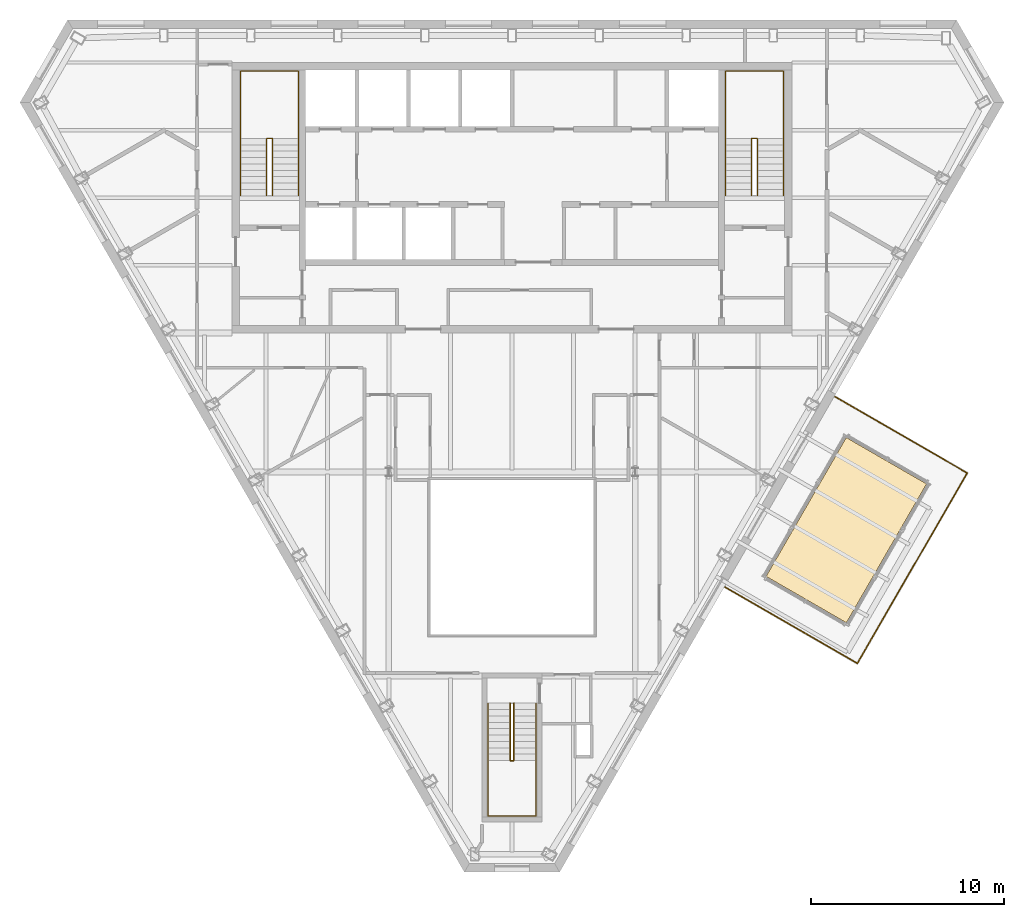
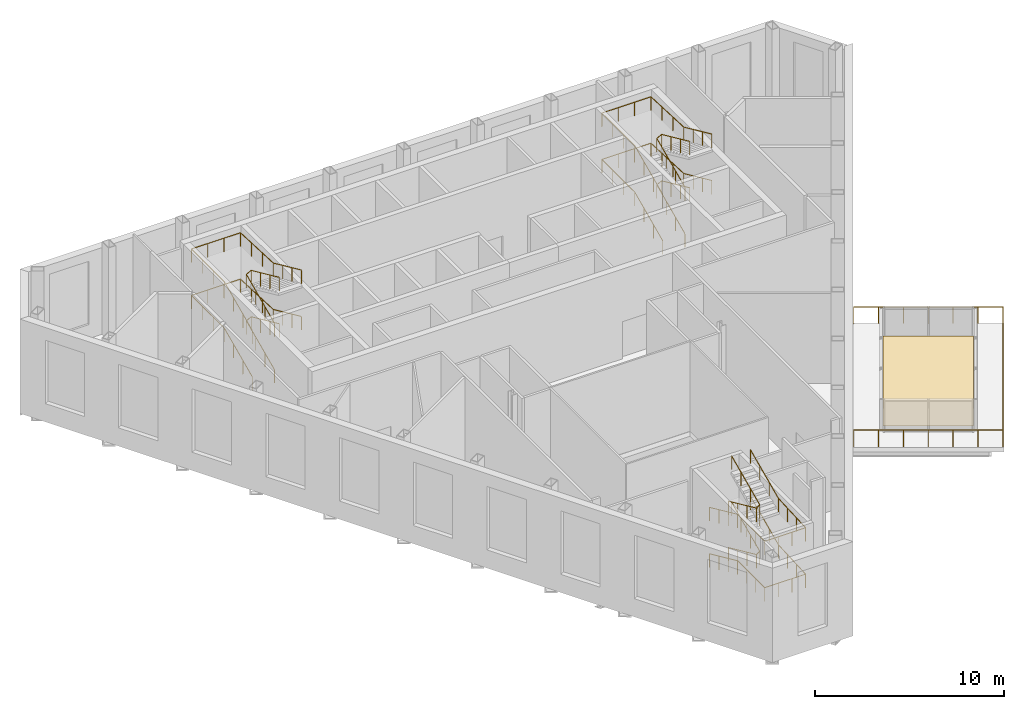
# One storey, part 11 of 11: 13 railings, 1 covering.
"""IFC4 building model written with IfcOpenShell, lengths in metres."""

import ifcopenshell
import ifcopenshell.guid

model = None  # the IFC model being written
_history = None  # IfcOwnerHistory: only IFC2X3 demands one
_inside = {}  # id of a spatial element -> (the spatial element, [elements in it])
_under = {}  # id of a project, library or spatial element -> (it, [spatial elements below it])
_declared = {}  # id of a project -> (the project, [libraries it declares])
_typed = {}  # id of a type object -> (the type object, [elements of that type])
_made_of = {}  # id of a material, layer set ... -> (it, [elements and type objects made of it])


def new_model(schema):
    """Start an empty IFC model of exactly this schema.

    Asked for "IFC4X3", IfcOpenShell would pick the latest addendum, in which some entities
    have other attributes; the version numbers below select the first issue.
    IFC2X3 requires an IfcOwnerHistory on every rooted entity: one is made here for all.
    """
    global model, _history
    if schema == "IFC4X3":
        model = ifcopenshell.file(schema_version=(4, 3, 0, 0))
    else:
        model = ifcopenshell.file(schema=schema)
    _inside.clear()
    _under.clear()
    _declared.clear()
    _typed.clear()
    _made_of.clear()
    _history = None
    if model.schema == "IFC2X3":
        org = make("IfcOrganization", Name="unknown")
        user = make(
            "IfcPersonAndOrganization",
            ThePerson=make("IfcPerson", FamilyName="unknown"),
            TheOrganization=org,
        )
        app = make(
            "IfcApplication",
            ApplicationDeveloper=org,
            Version="unknown",
            ApplicationFullName="unknown",
            ApplicationIdentifier="unknown",
        )
        _history = make(
            "IfcOwnerHistory",
            OwningUser=user,
            OwningApplication=app,
            ChangeAction="ADDED",
            CreationDate=0,
        )
    return model


def make(cls, **values):
    """One entity of the class cls with the attributes given. An attribute that is None is left unset."""
    return model.create_entity(
        cls, **{name: value for name, value in values.items() if value is not None}
    )


def rooted(cls, **values):
    """An entity with a GlobalId (a new one), such as an element, a storey or a relation."""
    return make(cls, GlobalId=ifcopenshell.guid.new(), OwnerHistory=_history, **values)


def si_unit(unit_type, name, prefix=None):
    """IfcSIUnit, for example si_unit("LENGTHUNIT", "METRE", prefix="MILLI")."""
    return make("IfcSIUnit", UnitType=unit_type, Prefix=prefix, Name=name)


def assignment(units):
    """IfcUnitAssignment: the units of a project."""
    return None if units is None else make("IfcUnitAssignment", Units=units)


def point(xyz):
    """IfcCartesianPoint."""
    return None if xyz is None else make("IfcCartesianPoint", Coordinates=xyz)


def direction(xyz):
    """IfcDirection."""
    return None if xyz is None else make("IfcDirection", DirectionRatios=xyz)


def frame(location, z_axis=None, x_axis=None):
    """IfcAxis2Placement3D, a coordinate frame: its origin and axes. An axis left out is left unset."""
    return make(
        "IfcAxis2Placement3D",
        Location=point(location),
        Axis=direction(z_axis),
        RefDirection=direction(x_axis),
    )


def frame_2d(location, x_axis=None):
    """IfcAxis2Placement2D, a coordinate frame in the plane: its origin and x axis."""
    return make(
        "IfcAxis2Placement2D", Location=point(location), RefDirection=direction(x_axis)
    )


def origin():
    """The frame at (0, 0, 0) with its axes left unset."""
    return frame((0.0, 0.0, 0.0))


def origin_2d():
    """The frame at (0, 0) in the plane with its x axis left unset."""
    return frame_2d((0.0, 0.0))


def place(relative_to, where):
    """IfcLocalPlacement: puts the frame where relative to a parent placement (None: the world)."""
    return make(
        "IfcLocalPlacement", PlacementRelTo=relative_to, RelativePlacement=where
    )


def context(
    kind, dimensions, precision=None, world=None, true_north=None, identifier=None
):
    """IfcGeometricRepresentationContext, for example the 3D "Model" context."""
    return make(
        "IfcGeometricRepresentationContext",
        ContextIdentifier=identifier,
        ContextType=kind,
        CoordinateSpaceDimension=dimensions,
        Precision=precision,
        WorldCoordinateSystem=world,
        TrueNorth=true_north,
    )


def subcontext(parent, identifier, kind, view, scale=None):
    """IfcGeometricRepresentationSubContext, for example "Body" below "Model"."""
    return make(
        "IfcGeometricRepresentationSubContext",
        ContextIdentifier=identifier,
        ContextType=kind,
        ParentContext=parent,
        TargetScale=scale,
        TargetView=view,
    )


def project(units=None, contexts=None):
    """IfcProject with its units and contexts."""
    return rooted(
        "IfcProject",
        Name="project",
        RepresentationContexts=contexts,
        UnitsInContext=assignment(units),
    )


def spatial(cls, under=None, at=None, **own):
    """A site, building, storey or space (cls), placed at a placement, below another one or the project."""
    s = rooted(cls, ObjectPlacement=at, **own)
    if under is not None:
        _under.setdefault(under.id(), (under, []))[1].append(s)
    return s


def polyline(points):
    """IfcPolyline through the points."""
    return make("IfcPolyline", Points=[point(p) for p in points])


def profile(cls, at=None, kind="AREA", **sizes):
    """A parametric profile (cls). Its sizes go by their IFC names, for example OverallWidth=200.0."""
    return make(cls, ProfileType=kind, Position=at, **sizes)


def circle(**sizes):
    """IfcCircleProfileDef."""
    return profile("IfcCircleProfileDef", **sizes)


def outline(outer, holes=None, kind="AREA"):
    """IfcArbitraryClosedProfileDef: a profile drawn as a closed curve; with holes, ...WithVoids."""
    if holes is None:
        return make("IfcArbitraryClosedProfileDef", ProfileType=kind, OuterCurve=outer)
    return make(
        "IfcArbitraryProfileDefWithVoids",
        ProfileType=kind,
        OuterCurve=outer,
        InnerCurves=holes,
    )


def extrude(swept, where, along, depth):
    """IfcExtrudedAreaSolid: the profile swept, set in the frame where, extruded along a direction by depth."""
    return make(
        "IfcExtrudedAreaSolid",
        SweptArea=swept,
        Position=where,
        ExtrudedDirection=direction(along),
        Depth=depth,
    )


def shape(context_of_items, identifier, shape_type, items):
    """IfcShapeRepresentation: the items that make up one representation, for example the "Body"."""
    return make(
        "IfcShapeRepresentation",
        ContextOfItems=context_of_items,
        RepresentationIdentifier=identifier,
        RepresentationType=shape_type,
        Items=items,
    )


def material(Name=None, Category=None):
    """IfcMaterial."""
    return make("IfcMaterial", Name=Name, Category=Category)


def layer(
    of_material, thickness, ventilated=None, Name=None, Category=None, Priority=None
):
    """IfcMaterialLayer: one layer of a wall or slab, of a material (None: an air gap)."""
    return make(
        "IfcMaterialLayer",
        Material=of_material,
        LayerThickness=thickness,
        IsVentilated=ventilated,
        Name=Name,
        Category=Category,
        Priority=Priority,
    )


def layer_set(layers, Name=None):
    """IfcMaterialLayerSet."""
    return make("IfcMaterialLayerSet", MaterialLayers=layers, LayerSetName=Name)


def made_of(thing, what):
    """Note that an element or type object is made of a material, layer set ...; save() writes the relation."""
    if what is not None:
        _made_of.setdefault(what.id(), (what, []))[1].append(thing)
    return thing


def type_object(cls, material=None, **own):
    """A type object (cls), such as IfcWallType, which elements share."""
    return made_of(rooted(cls, **own), material)


def element(
    cls,
    number,
    at=None,
    inside=None,
    cuts=None,
    type_object=None,
    material=None,
    context=None,
    identifier="Body",
    shape_type=None,
    held_by="IfcProductDefinitionShape",
    body=None,
    shapes=None,
    **own,
):
    """One element of the class cls, such as IfcWall. Its Tag is "e" and its number.

    at: its placement. inside: the storey or other place that contains it. cuts: it is an
    opening in that element (IfcRelVoidsElement). A single representation is given by context,
    identifier, shape_type and body (its items); several are given by shapes. held_by: the class
    of the entity that holds the representations. save() writes the other relations.
    """
    e = rooted(cls, Tag="e%d" % number, ObjectPlacement=at, **own)
    if body is not None:
        shapes = [shape(context, identifier, shape_type, body)]
    if shapes is not None:
        e.Representation = make(held_by, Representations=shapes)
    if inside is not None:
        _inside.setdefault(inside.id(), (inside, []))[1].append(e)
    if cuts is not None:
        rooted(
            "IfcRelVoidsElement", RelatingBuildingElement=cuts, RelatedOpeningElement=e
        )
    if type_object is not None:
        _typed.setdefault(type_object.id(), (type_object, []))[1].append(e)
    return made_of(e, material)


def aggregate(whole, parts):
    """IfcRelAggregates: a whole, such as a stair, and the parts it consists of."""
    return rooted("IfcRelAggregates", RelatingObject=whole, RelatedObjects=parts)


def save(model, path):
    """Write the relations noted so far, then the file.

    IfcRelAggregates (storeys below a building ...), IfcRelContainedInSpatialStructure (elements
    in a storey), IfcRelDefinesByType, IfcRelAssociatesMaterial and IfcRelDeclares: one each for
    every whole, place, type object, material and project.
    """
    for whole, parts in _under.values():
        aggregate(whole, parts)
    for where, things in _inside.values():
        rooted(
            "IfcRelContainedInSpatialStructure",
            RelatedElements=things,
            RelatingStructure=where,
        )
    for kind, things in _typed.values():
        rooted("IfcRelDefinesByType", RelatedObjects=things, RelatingType=kind)
    for what, things in _made_of.values():
        rooted("IfcRelAssociatesMaterial", RelatedObjects=things, RelatingMaterial=what)
    for by, libraries in _declared.values():
        rooted("IfcRelDeclares", RelatingContext=by, RelatedDefinitions=libraries)
    model.write(path)


model = new_model("IFC4")

# Units and contexts
model_context = context("Model", 3, precision=1e-05, world=origin(), true_north=direction((0.0, 1.0)))
body_context = subcontext(model_context, "Body", "Model", "MODEL_VIEW")
ifc_project = project(units=[si_unit("LENGTHUNIT", "METRE"), si_unit("AREAUNIT", "SQUARE_METRE"), si_unit("VOLUMEUNIT", "CUBIC_METRE"), si_unit("PLANEANGLEUNIT", "RADIAN"), si_unit("MASSUNIT", "GRAM", prefix="KILO")], contexts=[model_context])

# Site, building, storey
site_placement = place(None, origin())
site = spatial("IfcSite", under=ifc_project, at=site_placement, CompositionType="ELEMENT")
building_placement = place(site_placement, origin())
building = spatial("IfcBuilding", under=site, at=building_placement, Name="Njiva Tower", CompositionType="ELEMENT")
storey_placement = place(building_placement, frame((0.0, 0.0, 298.2)))
storey = spatial("IfcBuildingStorey", under=building, at=storey_placement, Name="L68", CompositionType="ELEMENT", Elevation=298.2)

# Covering
ifc_material_1 = material(Name="Pool lining, turquoise mosaic", Category="ceramic")
ifc_layer = layer(ifc_material_1, 0.02)
ifc_layer_set = layer_set([ifc_layer], Name="Pool lining, turquoise mosaic")
covering_type = type_object("IfcCoveringType", Name="FN90 Pool lining turquoise mosaic 20", PredefinedType="FLOORING", material=ifc_layer_set)
covering_placement = place(storey_placement, frame((0.0, 0.0, 0.25)))
element("IfcCovering", 1, at=covering_placement, inside=storey, type_object=covering_type, Name="Pool lining", PredefinedType="FLOORING", context=body_context, shape_type="SweptSolid", body=[
    extrude(outline(polyline([(13.1534, -8.5979), (17.3014, -1.4133), (21.4548, -3.8113), (17.3068, -10.9959), (13.1534, -8.5979)])), origin(), (0.0, 0.0, 1.0), 0.02),
])

# Railings
ifc_material_2 = material(Name="Stainless steel", Category="steel")
railing_type_1 = type_object("IfcRailingType", Name="RL1 Stair handrail 900", PredefinedType="HANDRAIL", material=ifc_material_2)
railing_1_placement = place(storey_placement, frame((-14.05, 11.1, 0.15)))
element("IfcRailing", 2, at=railing_1_placement, inside=storey, type_object=railing_type_1, Name="Stair A handrail", PredefinedType="HANDRAIL", context=body_context, shape_type="SweptSolid", body=[
    extrude(circle(Radius=0.024, at=origin_2d()), frame((0.0, 0.0, 0.876), z_axis=(0.0, 0.910366477463, 0.413802944301), x_axis=(-1.0, 0.0, 0.0)), (0.0, 0.0, 1.0), 3.2624),
    extrude(circle(Radius=0.024, at=origin_2d()), frame((0.0, 2.97, 2.226), z_axis=(0.0, 1.0, 0.0), x_axis=(-1.0, 0.0, 0.0)), (0.0, 0.0, 1.0), 3.48),
    extrude(circle(Radius=0.024, at=origin_2d()), frame((0.0, 6.45, 2.226), z_axis=(1.0, 0.0, 0.0), x_axis=(0.0, 1.0, 0.0)), (0.0, 0.0, 1.0), 3.0),
    extrude(circle(Radius=0.024, at=origin_2d()), frame((3.0, 6.45, 2.226), z_axis=(0.0, -0.999072338805, 0.04306346288), x_axis=(1.0, 0.0, 0.0)), (0.0, 0.0, 1.0), 3.4832),
    extrude(circle(Radius=0.024, at=origin_2d()), frame((3.0, 2.97, 2.376), z_axis=(0.0, -0.910366477463, 0.413802944301), x_axis=(1.0, 0.0, 0.0)), (0.0, 0.0, 1.0), 3.2624),
    extrude(circle(Radius=0.021, at=origin_2d()), origin(), (0.0, 0.0, 1.0), 0.852),
    extrude(circle(Radius=0.021, at=origin_2d()), frame((0.0, 0.99, 0.45)), (0.0, 0.0, 1.0), 0.852),
    extrude(circle(Radius=0.021, at=origin_2d()), frame((0.0, 1.98, 0.9)), (0.0, 0.0, 1.0), 0.852),
    extrude(circle(Radius=0.021, at=origin_2d()), frame((0.0, 2.97, 1.35)), (0.0, 0.0, 1.0), 0.852),
    extrude(circle(Radius=0.021, at=origin_2d()), frame((0.0, 4.13, 1.35)), (0.0, 0.0, 1.0), 0.852),
    extrude(circle(Radius=0.021, at=origin_2d()), frame((0.0, 5.29, 1.35)), (0.0, 0.0, 1.0), 0.852),
    extrude(circle(Radius=0.021, at=origin_2d()), frame((0.0, 6.45, 1.35)), (0.0, 0.0, 1.0), 0.852),
    extrude(circle(Radius=0.021, at=origin_2d()), frame((1.0, 6.45, 1.35)), (0.0, 0.0, 1.0), 0.852),
    extrude(circle(Radius=0.021, at=origin_2d()), frame((2.0, 6.45, 1.35)), (0.0, 0.0, 1.0), 0.852),
    extrude(circle(Radius=0.021, at=origin_2d()), frame((3.0, 6.45, 1.35)), (0.0, 0.0, 1.0), 0.852),
    extrude(circle(Radius=0.021, at=origin_2d()), frame((3.0, 5.29, 1.4)), (0.0, 0.0, 1.0), 0.852),
    extrude(circle(Radius=0.021, at=origin_2d()), frame((3.0, 4.13, 1.45)), (0.0, 0.0, 1.0), 0.852),
    extrude(circle(Radius=0.021, at=origin_2d()), frame((3.0, 2.97, 1.5)), (0.0, 0.0, 1.0), 0.852),
    extrude(circle(Radius=0.021, at=origin_2d()), frame((3.0, 1.98, 1.95)), (0.0, 0.0, 1.0), 0.852),
    extrude(circle(Radius=0.021, at=origin_2d()), frame((3.0, 0.99, 2.4)), (0.0, 0.0, 1.0), 0.852),
    extrude(circle(Radius=0.021, at=origin_2d()), frame((3.0, 0.0, 2.85)), (0.0, 0.0, 1.0), 0.852),
])
railing_2_placement = place(storey_placement, frame((-12.7, 11.1, 0.15)))
element("IfcRailing", 3, at=railing_2_placement, inside=storey, type_object=railing_type_1, Name="Stair A handrail", PredefinedType="HANDRAIL", context=body_context, shape_type="SweptSolid", body=[
    extrude(circle(Radius=0.024, at=origin_2d()), frame((0.0, 0.0, 0.876), z_axis=(0.0, 0.910366477463, 0.413802944301), x_axis=(-1.0, 0.0, 0.0)), (0.0, 0.0, 1.0), 3.2624),
    extrude(circle(Radius=0.024, at=origin_2d()), frame((0.0, 2.97, 2.226), z_axis=(0.894427191, 0.0, 0.4472135955), x_axis=(0.0, 1.0, 0.0)), (0.0, 0.0, 1.0), 0.3354),
    extrude(circle(Radius=0.024, at=origin_2d()), frame((0.3, 2.97, 2.376), z_axis=(0.0, -0.910366477463, 0.413802944301), x_axis=(1.0, 0.0, 0.0)), (0.0, 0.0, 1.0), 3.2624),
    extrude(circle(Radius=0.021, at=origin_2d()), origin(), (0.0, 0.0, 1.0), 0.852),
    extrude(circle(Radius=0.021, at=origin_2d()), frame((0.0, 0.99, 0.45)), (0.0, 0.0, 1.0), 0.852),
    extrude(circle(Radius=0.021, at=origin_2d()), frame((0.0, 1.98, 0.9)), (0.0, 0.0, 1.0), 0.852),
    extrude(circle(Radius=0.021, at=origin_2d()), frame((0.0, 2.97, 1.35)), (0.0, 0.0, 1.0), 0.852),
    extrude(circle(Radius=0.021, at=origin_2d()), frame((0.3, 2.97, 1.5)), (0.0, 0.0, 1.0), 0.852),
    extrude(circle(Radius=0.021, at=origin_2d()), frame((0.3, 1.98, 1.95)), (0.0, 0.0, 1.0), 0.852),
    extrude(circle(Radius=0.021, at=origin_2d()), frame((0.3, 0.99, 2.4)), (0.0, 0.0, 1.0), 0.852),
    extrude(circle(Radius=0.021, at=origin_2d()), frame((0.3, 0.0, 2.85)), (0.0, 0.0, 1.0), 0.852),
])
railing_3_placement = place(storey_placement, frame((-14.05, 11.1, 3.15)))
element("IfcRailing", 4, at=railing_3_placement, inside=storey, type_object=railing_type_1, Name="Stair A handrail", PredefinedType="HANDRAIL", context=body_context, shape_type="SweptSolid", body=[
    extrude(circle(Radius=0.024, at=origin_2d()), frame((0.0, 0.0, 0.876), z_axis=(0.0, 0.910366477463, 0.413802944301), x_axis=(-1.0, 0.0, 0.0)), (0.0, 0.0, 1.0), 3.2624),
    extrude(circle(Radius=0.024, at=origin_2d()), frame((0.0, 2.97, 2.226), z_axis=(0.0, 1.0, 0.0), x_axis=(-1.0, 0.0, 0.0)), (0.0, 0.0, 1.0), 3.48),
    extrude(circle(Radius=0.024, at=origin_2d()), frame((0.0, 6.45, 2.226), z_axis=(1.0, 0.0, 0.0), x_axis=(0.0, 1.0, 0.0)), (0.0, 0.0, 1.0), 3.0),
    extrude(circle(Radius=0.024, at=origin_2d()), frame((3.0, 6.45, 2.226), z_axis=(0.0, -0.999072338805, 0.04306346288), x_axis=(1.0, 0.0, 0.0)), (0.0, 0.0, 1.0), 3.4832),
    extrude(circle(Radius=0.024, at=origin_2d()), frame((3.0, 2.97, 2.376), z_axis=(0.0, -0.910366477463, 0.413802944301), x_axis=(1.0, 0.0, 0.0)), (0.0, 0.0, 1.0), 3.2624),
    extrude(circle(Radius=0.021, at=origin_2d()), origin(), (0.0, 0.0, 1.0), 0.852),
    extrude(circle(Radius=0.021, at=origin_2d()), frame((0.0, 0.99, 0.45)), (0.0, 0.0, 1.0), 0.852),
    extrude(circle(Radius=0.021, at=origin_2d()), frame((0.0, 1.98, 0.9)), (0.0, 0.0, 1.0), 0.852),
    extrude(circle(Radius=0.021, at=origin_2d()), frame((0.0, 2.97, 1.35)), (0.0, 0.0, 1.0), 0.852),
    extrude(circle(Radius=0.021, at=origin_2d()), frame((0.0, 4.13, 1.35)), (0.0, 0.0, 1.0), 0.852),
    extrude(circle(Radius=0.021, at=origin_2d()), frame((0.0, 5.29, 1.35)), (0.0, 0.0, 1.0), 0.852),
    extrude(circle(Radius=0.021, at=origin_2d()), frame((0.0, 6.45, 1.35)), (0.0, 0.0, 1.0), 0.852),
    extrude(circle(Radius=0.021, at=origin_2d()), frame((1.0, 6.45, 1.35)), (0.0, 0.0, 1.0), 0.852),
    extrude(circle(Radius=0.021, at=origin_2d()), frame((2.0, 6.45, 1.35)), (0.0, 0.0, 1.0), 0.852),
    extrude(circle(Radius=0.021, at=origin_2d()), frame((3.0, 6.45, 1.35)), (0.0, 0.0, 1.0), 0.852),
    extrude(circle(Radius=0.021, at=origin_2d()), frame((3.0, 5.29, 1.4)), (0.0, 0.0, 1.0), 0.852),
    extrude(circle(Radius=0.021, at=origin_2d()), frame((3.0, 4.13, 1.45)), (0.0, 0.0, 1.0), 0.852),
    extrude(circle(Radius=0.021, at=origin_2d()), frame((3.0, 2.97, 1.5)), (0.0, 0.0, 1.0), 0.852),
    extrude(circle(Radius=0.021, at=origin_2d()), frame((3.0, 1.98, 1.95)), (0.0, 0.0, 1.0), 0.852),
    extrude(circle(Radius=0.021, at=origin_2d()), frame((3.0, 0.99, 2.4)), (0.0, 0.0, 1.0), 0.852),
    extrude(circle(Radius=0.021, at=origin_2d()), frame((3.0, 0.0, 2.85)), (0.0, 0.0, 1.0), 0.852),
])
railing_4_placement = place(storey_placement, frame((-12.7, 11.1, 3.15)))
element("IfcRailing", 5, at=railing_4_placement, inside=storey, type_object=railing_type_1, Name="Stair A handrail", PredefinedType="HANDRAIL", context=body_context, shape_type="SweptSolid", body=[
    extrude(circle(Radius=0.024, at=origin_2d()), frame((0.0, 0.0, 0.876), z_axis=(0.0, 0.910366477463, 0.413802944301), x_axis=(-1.0, 0.0, 0.0)), (0.0, 0.0, 1.0), 3.2624),
    extrude(circle(Radius=0.024, at=origin_2d()), frame((0.0, 2.97, 2.226), z_axis=(0.894427191, 0.0, 0.4472135955), x_axis=(0.0, 1.0, 0.0)), (0.0, 0.0, 1.0), 0.3354),
    extrude(circle(Radius=0.024, at=origin_2d()), frame((0.3, 2.97, 2.376), z_axis=(0.0, -0.910366477463, 0.413802944301), x_axis=(1.0, 0.0, 0.0)), (0.0, 0.0, 1.0), 3.2624),
    extrude(circle(Radius=0.021, at=origin_2d()), origin(), (0.0, 0.0, 1.0), 0.852),
    extrude(circle(Radius=0.021, at=origin_2d()), frame((0.0, 0.99, 0.45)), (0.0, 0.0, 1.0), 0.852),
    extrude(circle(Radius=0.021, at=origin_2d()), frame((0.0, 1.98, 0.9)), (0.0, 0.0, 1.0), 0.852),
    extrude(circle(Radius=0.021, at=origin_2d()), frame((0.0, 2.97, 1.35)), (0.0, 0.0, 1.0), 0.852),
    extrude(circle(Radius=0.021, at=origin_2d()), frame((0.3, 2.97, 1.5)), (0.0, 0.0, 1.0), 0.852),
    extrude(circle(Radius=0.021, at=origin_2d()), frame((0.3, 1.98, 1.95)), (0.0, 0.0, 1.0), 0.852),
    extrude(circle(Radius=0.021, at=origin_2d()), frame((0.3, 0.99, 2.4)), (0.0, 0.0, 1.0), 0.852),
    extrude(circle(Radius=0.021, at=origin_2d()), frame((0.3, 0.0, 2.85)), (0.0, 0.0, 1.0), 0.852),
])
railing_5_placement = place(storey_placement, frame((11.05, 11.1, 0.15)))
element("IfcRailing", 6, at=railing_5_placement, inside=storey, type_object=railing_type_1, Name="Stair B handrail", PredefinedType="HANDRAIL", context=body_context, shape_type="SweptSolid", body=[
    extrude(circle(Radius=0.024, at=origin_2d()), frame((0.0, 0.0, 0.876), z_axis=(0.0, 0.910366477463, 0.413802944301), x_axis=(-1.0, 0.0, 0.0)), (0.0, 0.0, 1.0), 3.2624),
    extrude(circle(Radius=0.024, at=origin_2d()), frame((0.0, 2.97, 2.226), z_axis=(0.0, 1.0, 0.0), x_axis=(-1.0, 0.0, 0.0)), (0.0, 0.0, 1.0), 3.48),
    extrude(circle(Radius=0.024, at=origin_2d()), frame((0.0, 6.45, 2.226), z_axis=(1.0, 0.0, 0.0), x_axis=(0.0, 1.0, 0.0)), (0.0, 0.0, 1.0), 3.0),
    extrude(circle(Radius=0.024, at=origin_2d()), frame((3.0, 6.45, 2.226), z_axis=(0.0, -0.999072338805, 0.04306346288), x_axis=(1.0, 0.0, 0.0)), (0.0, 0.0, 1.0), 3.4832),
    extrude(circle(Radius=0.024, at=origin_2d()), frame((3.0, 2.97, 2.376), z_axis=(0.0, -0.910366477463, 0.413802944301), x_axis=(1.0, 0.0, 0.0)), (0.0, 0.0, 1.0), 3.2624),
    extrude(circle(Radius=0.021, at=origin_2d()), origin(), (0.0, 0.0, 1.0), 0.852),
    extrude(circle(Radius=0.021, at=origin_2d()), frame((0.0, 0.99, 0.45)), (0.0, 0.0, 1.0), 0.852),
    extrude(circle(Radius=0.021, at=origin_2d()), frame((0.0, 1.98, 0.9)), (0.0, 0.0, 1.0), 0.852),
    extrude(circle(Radius=0.021, at=origin_2d()), frame((0.0, 2.97, 1.35)), (0.0, 0.0, 1.0), 0.852),
    extrude(circle(Radius=0.021, at=origin_2d()), frame((0.0, 4.13, 1.35)), (0.0, 0.0, 1.0), 0.852),
    extrude(circle(Radius=0.021, at=origin_2d()), frame((0.0, 5.29, 1.35)), (0.0, 0.0, 1.0), 0.852),
    extrude(circle(Radius=0.021, at=origin_2d()), frame((0.0, 6.45, 1.35)), (0.0, 0.0, 1.0), 0.852),
    extrude(circle(Radius=0.021, at=origin_2d()), frame((1.0, 6.45, 1.35)), (0.0, 0.0, 1.0), 0.852),
    extrude(circle(Radius=0.021, at=origin_2d()), frame((2.0, 6.45, 1.35)), (0.0, 0.0, 1.0), 0.852),
    extrude(circle(Radius=0.021, at=origin_2d()), frame((3.0, 6.45, 1.35)), (0.0, 0.0, 1.0), 0.852),
    extrude(circle(Radius=0.021, at=origin_2d()), frame((3.0, 5.29, 1.4)), (0.0, 0.0, 1.0), 0.852),
    extrude(circle(Radius=0.021, at=origin_2d()), frame((3.0, 4.13, 1.45)), (0.0, 0.0, 1.0), 0.852),
    extrude(circle(Radius=0.021, at=origin_2d()), frame((3.0, 2.97, 1.5)), (0.0, 0.0, 1.0), 0.852),
    extrude(circle(Radius=0.021, at=origin_2d()), frame((3.0, 1.98, 1.95)), (0.0, 0.0, 1.0), 0.852),
    extrude(circle(Radius=0.021, at=origin_2d()), frame((3.0, 0.99, 2.4)), (0.0, 0.0, 1.0), 0.852),
    extrude(circle(Radius=0.021, at=origin_2d()), frame((3.0, 0.0, 2.85)), (0.0, 0.0, 1.0), 0.852),
])
railing_6_placement = place(storey_placement, frame((12.4, 11.1, 0.15)))
element("IfcRailing", 7, at=railing_6_placement, inside=storey, type_object=railing_type_1, Name="Stair B handrail", PredefinedType="HANDRAIL", context=body_context, shape_type="SweptSolid", body=[
    extrude(circle(Radius=0.024, at=origin_2d()), frame((0.0, 0.0, 0.876), z_axis=(0.0, 0.910366477463, 0.413802944301), x_axis=(-1.0, 0.0, 0.0)), (0.0, 0.0, 1.0), 3.2624),
    extrude(circle(Radius=0.024, at=origin_2d()), frame((0.0, 2.97, 2.226), z_axis=(0.894427191, 0.0, 0.4472135955), x_axis=(0.0, 1.0, 0.0)), (0.0, 0.0, 1.0), 0.3354),
    extrude(circle(Radius=0.024, at=origin_2d()), frame((0.3, 2.97, 2.376), z_axis=(0.0, -0.910366477463, 0.413802944301), x_axis=(1.0, 0.0, 0.0)), (0.0, 0.0, 1.0), 3.2624),
    extrude(circle(Radius=0.021, at=origin_2d()), origin(), (0.0, 0.0, 1.0), 0.852),
    extrude(circle(Radius=0.021, at=origin_2d()), frame((0.0, 0.99, 0.45)), (0.0, 0.0, 1.0), 0.852),
    extrude(circle(Radius=0.021, at=origin_2d()), frame((0.0, 1.98, 0.9)), (0.0, 0.0, 1.0), 0.852),
    extrude(circle(Radius=0.021, at=origin_2d()), frame((0.0, 2.97, 1.35)), (0.0, 0.0, 1.0), 0.852),
    extrude(circle(Radius=0.021, at=origin_2d()), frame((0.3, 2.97, 1.5)), (0.0, 0.0, 1.0), 0.852),
    extrude(circle(Radius=0.021, at=origin_2d()), frame((0.3, 1.98, 1.95)), (0.0, 0.0, 1.0), 0.852),
    extrude(circle(Radius=0.021, at=origin_2d()), frame((0.3, 0.99, 2.4)), (0.0, 0.0, 1.0), 0.852),
    extrude(circle(Radius=0.021, at=origin_2d()), frame((0.3, 0.0, 2.85)), (0.0, 0.0, 1.0), 0.852),
])
railing_7_placement = place(storey_placement, frame((11.05, 11.1, 3.15)))
element("IfcRailing", 8, at=railing_7_placement, inside=storey, type_object=railing_type_1, Name="Stair B handrail", PredefinedType="HANDRAIL", context=body_context, shape_type="SweptSolid", body=[
    extrude(circle(Radius=0.024, at=origin_2d()), frame((0.0, 0.0, 0.876), z_axis=(0.0, 0.910366477463, 0.413802944301), x_axis=(-1.0, 0.0, 0.0)), (0.0, 0.0, 1.0), 3.2624),
    extrude(circle(Radius=0.024, at=origin_2d()), frame((0.0, 2.97, 2.226), z_axis=(0.0, 1.0, 0.0), x_axis=(-1.0, 0.0, 0.0)), (0.0, 0.0, 1.0), 3.48),
    extrude(circle(Radius=0.024, at=origin_2d()), frame((0.0, 6.45, 2.226), z_axis=(1.0, 0.0, 0.0), x_axis=(0.0, 1.0, 0.0)), (0.0, 0.0, 1.0), 3.0),
    extrude(circle(Radius=0.024, at=origin_2d()), frame((3.0, 6.45, 2.226), z_axis=(0.0, -0.999072338805, 0.04306346288), x_axis=(1.0, 0.0, 0.0)), (0.0, 0.0, 1.0), 3.4832),
    extrude(circle(Radius=0.024, at=origin_2d()), frame((3.0, 2.97, 2.376), z_axis=(0.0, -0.910366477463, 0.413802944301), x_axis=(1.0, 0.0, 0.0)), (0.0, 0.0, 1.0), 3.2624),
    extrude(circle(Radius=0.021, at=origin_2d()), origin(), (0.0, 0.0, 1.0), 0.852),
    extrude(circle(Radius=0.021, at=origin_2d()), frame((0.0, 0.99, 0.45)), (0.0, 0.0, 1.0), 0.852),
    extrude(circle(Radius=0.021, at=origin_2d()), frame((0.0, 1.98, 0.9)), (0.0, 0.0, 1.0), 0.852),
    extrude(circle(Radius=0.021, at=origin_2d()), frame((0.0, 2.97, 1.35)), (0.0, 0.0, 1.0), 0.852),
    extrude(circle(Radius=0.021, at=origin_2d()), frame((0.0, 4.13, 1.35)), (0.0, 0.0, 1.0), 0.852),
    extrude(circle(Radius=0.021, at=origin_2d()), frame((0.0, 5.29, 1.35)), (0.0, 0.0, 1.0), 0.852),
    extrude(circle(Radius=0.021, at=origin_2d()), frame((0.0, 6.45, 1.35)), (0.0, 0.0, 1.0), 0.852),
    extrude(circle(Radius=0.021, at=origin_2d()), frame((1.0, 6.45, 1.35)), (0.0, 0.0, 1.0), 0.852),
    extrude(circle(Radius=0.021, at=origin_2d()), frame((2.0, 6.45, 1.35)), (0.0, 0.0, 1.0), 0.852),
    extrude(circle(Radius=0.021, at=origin_2d()), frame((3.0, 6.45, 1.35)), (0.0, 0.0, 1.0), 0.852),
    extrude(circle(Radius=0.021, at=origin_2d()), frame((3.0, 5.29, 1.4)), (0.0, 0.0, 1.0), 0.852),
    extrude(circle(Radius=0.021, at=origin_2d()), frame((3.0, 4.13, 1.45)), (0.0, 0.0, 1.0), 0.852),
    extrude(circle(Radius=0.021, at=origin_2d()), frame((3.0, 2.97, 1.5)), (0.0, 0.0, 1.0), 0.852),
    extrude(circle(Radius=0.021, at=origin_2d()), frame((3.0, 1.98, 1.95)), (0.0, 0.0, 1.0), 0.852),
    extrude(circle(Radius=0.021, at=origin_2d()), frame((3.0, 0.99, 2.4)), (0.0, 0.0, 1.0), 0.852),
    extrude(circle(Radius=0.021, at=origin_2d()), frame((3.0, 0.0, 2.85)), (0.0, 0.0, 1.0), 0.852),
])
railing_8_placement = place(storey_placement, frame((12.4, 11.1, 3.15)))
element("IfcRailing", 9, at=railing_8_placement, inside=storey, type_object=railing_type_1, Name="Stair B handrail", PredefinedType="HANDRAIL", context=body_context, shape_type="SweptSolid", body=[
    extrude(circle(Radius=0.024, at=origin_2d()), frame((0.0, 0.0, 0.876), z_axis=(0.0, 0.910366477463, 0.413802944301), x_axis=(-1.0, 0.0, 0.0)), (0.0, 0.0, 1.0), 3.2624),
    extrude(circle(Radius=0.024, at=origin_2d()), frame((0.0, 2.97, 2.226), z_axis=(0.894427191, 0.0, 0.4472135955), x_axis=(0.0, 1.0, 0.0)), (0.0, 0.0, 1.0), 0.3354),
    extrude(circle(Radius=0.024, at=origin_2d()), frame((0.3, 2.97, 2.376), z_axis=(0.0, -0.910366477463, 0.413802944301), x_axis=(1.0, 0.0, 0.0)), (0.0, 0.0, 1.0), 3.2624),
    extrude(circle(Radius=0.021, at=origin_2d()), origin(), (0.0, 0.0, 1.0), 0.852),
    extrude(circle(Radius=0.021, at=origin_2d()), frame((0.0, 0.99, 0.45)), (0.0, 0.0, 1.0), 0.852),
    extrude(circle(Radius=0.021, at=origin_2d()), frame((0.0, 1.98, 0.9)), (0.0, 0.0, 1.0), 0.852),
    extrude(circle(Radius=0.021, at=origin_2d()), frame((0.0, 2.97, 1.35)), (0.0, 0.0, 1.0), 0.852),
    extrude(circle(Radius=0.021, at=origin_2d()), frame((0.3, 2.97, 1.5)), (0.0, 0.0, 1.0), 0.852),
    extrude(circle(Radius=0.021, at=origin_2d()), frame((0.3, 1.98, 1.95)), (0.0, 0.0, 1.0), 0.852),
    extrude(circle(Radius=0.021, at=origin_2d()), frame((0.3, 0.99, 2.4)), (0.0, 0.0, 1.0), 0.852),
    extrude(circle(Radius=0.021, at=origin_2d()), frame((0.3, 0.0, 2.85)), (0.0, 0.0, 1.0), 0.852),
])
railing_9_placement = place(storey_placement, frame((-1.25, -15.16, 0.15)))
element("IfcRailing", 10, at=railing_9_placement, inside=storey, type_object=railing_type_1, Name="Stair C handrail", PredefinedType="HANDRAIL", context=body_context, shape_type="SweptSolid", body=[
    extrude(circle(Radius=0.024, at=origin_2d()), frame((0.0, 0.0, 0.876), z_axis=(0.0, -0.910366477463, 0.413802944301), x_axis=(1.0, 0.0, 0.0)), (0.0, 0.0, 1.0), 3.2624),
    extrude(circle(Radius=0.024, at=origin_2d()), frame((0.0, -2.97, 2.226), z_axis=(0.0, -1.0, 0.0), x_axis=(1.0, 0.0, 0.0)), (0.0, 0.0, 1.0), 2.87),
    extrude(circle(Radius=0.024, at=origin_2d()), frame((0.0, -5.84, 2.226), z_axis=(1.0, 0.0, 0.0), x_axis=(0.0, 1.0, 0.0)), (0.0, 0.0, 1.0), 2.5),
    extrude(circle(Radius=0.024, at=origin_2d()), frame((2.5, -5.84, 2.226), z_axis=(0.0, 0.998636986684, 0.052193570733), x_axis=(-1.0, 0.0, 0.0)), (0.0, 0.0, 1.0), 2.8739),
    extrude(circle(Radius=0.024, at=origin_2d()), frame((2.5, -2.97, 2.376), z_axis=(0.0, 0.910366477463, 0.413802944301), x_axis=(-1.0, 0.0, 0.0)), (0.0, 0.0, 1.0), 3.2624),
    extrude(circle(Radius=0.021, at=origin_2d()), origin(), (0.0, 0.0, 1.0), 0.852),
    extrude(circle(Radius=0.021, at=origin_2d()), frame((0.0, -0.99, 0.45)), (0.0, 0.0, 1.0), 0.852),
    extrude(circle(Radius=0.021, at=origin_2d()), frame((0.0, -1.98, 0.9)), (0.0, 0.0, 1.0), 0.852),
    extrude(circle(Radius=0.021, at=origin_2d()), frame((0.0, -2.97, 1.35)), (0.0, 0.0, 1.0), 0.852),
    extrude(circle(Radius=0.021, at=origin_2d()), frame((0.0, -3.9267, 1.35)), (0.0, 0.0, 1.0), 0.852),
    extrude(circle(Radius=0.021, at=origin_2d()), frame((0.0, -4.8833, 1.35)), (0.0, 0.0, 1.0), 0.852),
    extrude(circle(Radius=0.021, at=origin_2d()), frame((0.0, -5.84, 1.35)), (0.0, 0.0, 1.0), 0.852),
    extrude(circle(Radius=0.021, at=origin_2d()), frame((0.8333, -5.84, 1.35)), (0.0, 0.0, 1.0), 0.852),
    extrude(circle(Radius=0.021, at=origin_2d()), frame((1.6667, -5.84, 1.35)), (0.0, 0.0, 1.0), 0.852),
    extrude(circle(Radius=0.021, at=origin_2d()), frame((2.5, -5.84, 1.35)), (0.0, 0.0, 1.0), 0.852),
    extrude(circle(Radius=0.021, at=origin_2d()), frame((2.5, -4.8833, 1.4)), (0.0, 0.0, 1.0), 0.852),
    extrude(circle(Radius=0.021, at=origin_2d()), frame((2.5, -3.9267, 1.45)), (0.0, 0.0, 1.0), 0.852),
    extrude(circle(Radius=0.021, at=origin_2d()), frame((2.5, -2.97, 1.5)), (0.0, 0.0, 1.0), 0.852),
    extrude(circle(Radius=0.021, at=origin_2d()), frame((2.5, -1.98, 1.95)), (0.0, 0.0, 1.0), 0.852),
    extrude(circle(Radius=0.021, at=origin_2d()), frame((2.5, -0.99, 2.4)), (0.0, 0.0, 1.0), 0.852),
    extrude(circle(Radius=0.021, at=origin_2d()), frame((2.5, 0.0, 2.85)), (0.0, 0.0, 1.0), 0.852),
])
railing_10_placement = place(storey_placement, frame((-0.1, -15.16, 0.15)))
element("IfcRailing", 11, at=railing_10_placement, inside=storey, type_object=railing_type_1, Name="Stair C handrail", PredefinedType="HANDRAIL", context=body_context, shape_type="SweptSolid", body=[
    extrude(circle(Radius=0.024, at=origin_2d()), frame((0.0, 0.0, 0.876), z_axis=(0.0, -0.910366477463, 0.413802944301), x_axis=(1.0, 0.0, 0.0)), (0.0, 0.0, 1.0), 3.2624),
    extrude(circle(Radius=0.024, at=origin_2d()), frame((0.0, -2.97, 2.226), z_axis=(0.8, 0.0, 0.6), x_axis=(0.0, 1.0, 0.0)), (0.0, 0.0, 1.0), 0.25),
    extrude(circle(Radius=0.024, at=origin_2d()), frame((0.2, -2.97, 2.376), z_axis=(0.0, 0.910366477463, 0.413802944301), x_axis=(-1.0, 0.0, 0.0)), (0.0, 0.0, 1.0), 3.2624),
    extrude(circle(Radius=0.021, at=origin_2d()), origin(), (0.0, 0.0, 1.0), 0.852),
    extrude(circle(Radius=0.021, at=origin_2d()), frame((0.0, -0.99, 0.45)), (0.0, 0.0, 1.0), 0.852),
    extrude(circle(Radius=0.021, at=origin_2d()), frame((0.0, -1.98, 0.9)), (0.0, 0.0, 1.0), 0.852),
    extrude(circle(Radius=0.021, at=origin_2d()), frame((0.0, -2.97, 1.35)), (0.0, 0.0, 1.0), 0.852),
    extrude(circle(Radius=0.021, at=origin_2d()), frame((0.2, -2.97, 1.5)), (0.0, 0.0, 1.0), 0.852),
    extrude(circle(Radius=0.021, at=origin_2d()), frame((0.2, -1.98, 1.95)), (0.0, 0.0, 1.0), 0.852),
    extrude(circle(Radius=0.021, at=origin_2d()), frame((0.2, -0.99, 2.4)), (0.0, 0.0, 1.0), 0.852),
    extrude(circle(Radius=0.021, at=origin_2d()), frame((0.2, 0.0, 2.85)), (0.0, 0.0, 1.0), 0.852),
])
railing_11_placement = place(storey_placement, frame((-1.25, -15.16, 3.15)))
element("IfcRailing", 12, at=railing_11_placement, inside=storey, type_object=railing_type_1, Name="Stair C handrail", PredefinedType="HANDRAIL", context=body_context, shape_type="SweptSolid", body=[
    extrude(circle(Radius=0.024, at=origin_2d()), frame((0.0, 0.0, 0.876), z_axis=(0.0, -0.910366477463, 0.413802944301), x_axis=(1.0, 0.0, 0.0)), (0.0, 0.0, 1.0), 3.2624),
    extrude(circle(Radius=0.024, at=origin_2d()), frame((0.0, -2.97, 2.226), z_axis=(0.0, -1.0, 0.0), x_axis=(1.0, 0.0, 0.0)), (0.0, 0.0, 1.0), 2.87),
    extrude(circle(Radius=0.024, at=origin_2d()), frame((0.0, -5.84, 2.226), z_axis=(1.0, 0.0, 0.0), x_axis=(0.0, 1.0, 0.0)), (0.0, 0.0, 1.0), 2.5),
    extrude(circle(Radius=0.024, at=origin_2d()), frame((2.5, -5.84, 2.226), z_axis=(0.0, 0.998636986684, 0.052193570733), x_axis=(-1.0, 0.0, 0.0)), (0.0, 0.0, 1.0), 2.8739),
    extrude(circle(Radius=0.024, at=origin_2d()), frame((2.5, -2.97, 2.376), z_axis=(0.0, 0.910366477463, 0.413802944301), x_axis=(-1.0, 0.0, 0.0)), (0.0, 0.0, 1.0), 3.2624),
    extrude(circle(Radius=0.021, at=origin_2d()), origin(), (0.0, 0.0, 1.0), 0.852),
    extrude(circle(Radius=0.021, at=origin_2d()), frame((0.0, -0.99, 0.45)), (0.0, 0.0, 1.0), 0.852),
    extrude(circle(Radius=0.021, at=origin_2d()), frame((0.0, -1.98, 0.9)), (0.0, 0.0, 1.0), 0.852),
    extrude(circle(Radius=0.021, at=origin_2d()), frame((0.0, -2.97, 1.35)), (0.0, 0.0, 1.0), 0.852),
    extrude(circle(Radius=0.021, at=origin_2d()), frame((0.0, -3.9267, 1.35)), (0.0, 0.0, 1.0), 0.852),
    extrude(circle(Radius=0.021, at=origin_2d()), frame((0.0, -4.8833, 1.35)), (0.0, 0.0, 1.0), 0.852),
    extrude(circle(Radius=0.021, at=origin_2d()), frame((0.0, -5.84, 1.35)), (0.0, 0.0, 1.0), 0.852),
    extrude(circle(Radius=0.021, at=origin_2d()), frame((0.8333, -5.84, 1.35)), (0.0, 0.0, 1.0), 0.852),
    extrude(circle(Radius=0.021, at=origin_2d()), frame((1.6667, -5.84, 1.35)), (0.0, 0.0, 1.0), 0.852),
    extrude(circle(Radius=0.021, at=origin_2d()), frame((2.5, -5.84, 1.35)), (0.0, 0.0, 1.0), 0.852),
    extrude(circle(Radius=0.021, at=origin_2d()), frame((2.5, -4.8833, 1.4)), (0.0, 0.0, 1.0), 0.852),
    extrude(circle(Radius=0.021, at=origin_2d()), frame((2.5, -3.9267, 1.45)), (0.0, 0.0, 1.0), 0.852),
    extrude(circle(Radius=0.021, at=origin_2d()), frame((2.5, -2.97, 1.5)), (0.0, 0.0, 1.0), 0.852),
    extrude(circle(Radius=0.021, at=origin_2d()), frame((2.5, -1.98, 1.95)), (0.0, 0.0, 1.0), 0.852),
    extrude(circle(Radius=0.021, at=origin_2d()), frame((2.5, -0.99, 2.4)), (0.0, 0.0, 1.0), 0.852),
    extrude(circle(Radius=0.021, at=origin_2d()), frame((2.5, 0.0, 2.85)), (0.0, 0.0, 1.0), 0.852),
])
railing_12_placement = place(storey_placement, frame((-0.1, -15.16, 3.15)))
element("IfcRailing", 13, at=railing_12_placement, inside=storey, type_object=railing_type_1, Name="Stair C handrail", PredefinedType="HANDRAIL", context=body_context, shape_type="SweptSolid", body=[
    extrude(circle(Radius=0.024, at=origin_2d()), frame((0.0, 0.0, 0.876), z_axis=(0.0, -0.910366477463, 0.413802944301), x_axis=(1.0, 0.0, 0.0)), (0.0, 0.0, 1.0), 3.2624),
    extrude(circle(Radius=0.024, at=origin_2d()), frame((0.0, -2.97, 2.226), z_axis=(0.8, 0.0, 0.6), x_axis=(0.0, 1.0, 0.0)), (0.0, 0.0, 1.0), 0.25),
    extrude(circle(Radius=0.024, at=origin_2d()), frame((0.2, -2.97, 2.376), z_axis=(0.0, 0.910366477463, 0.413802944301), x_axis=(-1.0, 0.0, 0.0)), (0.0, 0.0, 1.0), 3.2624),
    extrude(circle(Radius=0.021, at=origin_2d()), origin(), (0.0, 0.0, 1.0), 0.852),
    extrude(circle(Radius=0.021, at=origin_2d()), frame((0.0, -0.99, 0.45)), (0.0, 0.0, 1.0), 0.852),
    extrude(circle(Radius=0.021, at=origin_2d()), frame((0.0, -1.98, 0.9)), (0.0, 0.0, 1.0), 0.852),
    extrude(circle(Radius=0.021, at=origin_2d()), frame((0.0, -2.97, 1.35)), (0.0, 0.0, 1.0), 0.852),
    extrude(circle(Radius=0.021, at=origin_2d()), frame((0.2, -2.97, 1.5)), (0.0, 0.0, 1.0), 0.852),
    extrude(circle(Radius=0.021, at=origin_2d()), frame((0.2, -1.98, 1.95)), (0.0, 0.0, 1.0), 0.852),
    extrude(circle(Radius=0.021, at=origin_2d()), frame((0.2, -0.99, 2.4)), (0.0, 0.0, 1.0), 0.852),
    extrude(circle(Radius=0.021, at=origin_2d()), frame((0.2, 0.0, 2.85)), (0.0, 0.0, 1.0), 0.852),
])
ifc_material_3 = material(Name="Stainless steel and glass", Category="steel")
railing_type_2 = type_object("IfcRailingType", Name="RL90 Pool deck guard 1100", PredefinedType="GUARDRAIL", material=ifc_material_3)
railing_13_placement = place(storey_placement, frame((11.0296, -9.1523, 0.0)))
element("IfcRailing", 14, at=railing_13_placement, inside=storey, type_object=railing_type_2, Name="Pool deck guard", PredefinedType="GUARDRAIL", context=body_context, shape_type="SweptSolid", body=[
    extrude(circle(Radius=0.024, at=origin_2d()), frame((0.0, 0.0, 1.076), z_axis=(0.866025381952, -0.500000037814, 0.0), x_axis=(0.500000037814, 0.866025381952, 0.0)), (0.0, 0.0, 1.0), 7.9),
    extrude(circle(Radius=0.024, at=origin_2d()), frame((6.8416, -3.95, 1.076), z_axis=(0.49999882406, 0.866026082713, 0.0), x_axis=(-0.866026082713, 0.49999882406, 0.0)), (0.0, 0.0, 1.0), 11.38),
    extrude(circle(Radius=0.024, at=origin_2d()), frame((12.5316, 5.9054, 1.076), z_axis=(-0.866025381952, 0.500000037814, 0.0), x_axis=(-0.500000037814, -0.866025381952, 0.0)), (0.0, 0.0, 1.0), 7.9),
    extrude(circle(Radius=0.021, at=origin_2d()), origin(), (0.0, 0.0, 1.0), 1.052),
    extrude(circle(Radius=0.021, at=origin_2d()), frame((1.1403, -0.6583, 0.0)), (0.0, 0.0, 1.0), 1.052),
    extrude(circle(Radius=0.021, at=origin_2d()), frame((2.2805, -1.3167, 0.0)), (0.0, 0.0, 1.0), 1.052),
    extrude(circle(Radius=0.021, at=origin_2d()), frame((3.4208, -1.975, 0.0)), (0.0, 0.0, 1.0), 1.052),
    extrude(circle(Radius=0.021, at=origin_2d()), frame((4.5611, -2.6333, 0.0)), (0.0, 0.0, 1.0), 1.052),
    extrude(circle(Radius=0.021, at=origin_2d()), frame((5.7013, -3.2917, 0.0)), (0.0, 0.0, 1.0), 1.052),
    extrude(circle(Radius=0.021, at=origin_2d()), frame((6.8416, -3.95, 0.0)), (0.0, 0.0, 1.0), 1.052),
    extrude(circle(Radius=0.021, at=origin_2d()), frame((7.5529, -2.7181, 0.0)), (0.0, 0.0, 1.0), 1.052),
    extrude(circle(Radius=0.021, at=origin_2d()), frame((8.2641, -1.4861, 0.0)), (0.0, 0.0, 1.0), 1.052),
    extrude(circle(Radius=0.021, at=origin_2d()), frame((8.9754, -0.2542, 0.0)), (0.0, 0.0, 1.0), 1.052),
    extrude(circle(Radius=0.021, at=origin_2d()), frame((9.6866, 0.9777, 0.0)), (0.0, 0.0, 1.0), 1.052),
    extrude(circle(Radius=0.021, at=origin_2d()), frame((10.3978, 2.2096, 0.0)), (0.0, 0.0, 1.0), 1.052),
    extrude(circle(Radius=0.021, at=origin_2d()), frame((11.1091, 3.4416, 0.0)), (0.0, 0.0, 1.0), 1.052),
    extrude(circle(Radius=0.021, at=origin_2d()), frame((11.8204, 4.6735, 0.0)), (0.0, 0.0, 1.0), 1.052),
    extrude(circle(Radius=0.021, at=origin_2d()), frame((12.5316, 5.9054, 0.0)), (0.0, 0.0, 1.0), 1.052),
    extrude(circle(Radius=0.021, at=origin_2d()), frame((11.3913, 6.5637, 0.0)), (0.0, 0.0, 1.0), 1.052),
    extrude(circle(Radius=0.021, at=origin_2d()), frame((10.2511, 7.2221, 0.0)), (0.0, 0.0, 1.0), 1.052),
    extrude(circle(Radius=0.021, at=origin_2d()), frame((9.1108, 7.8804, 0.0)), (0.0, 0.0, 1.0), 1.052),
    extrude(circle(Radius=0.021, at=origin_2d()), frame((7.9705, 8.5387, 0.0)), (0.0, 0.0, 1.0), 1.052),
    extrude(circle(Radius=0.021, at=origin_2d()), frame((6.8303, 9.1971, 0.0)), (0.0, 0.0, 1.0), 1.052),
    extrude(circle(Radius=0.021, at=origin_2d()), frame((5.69, 9.8554, 0.0)), (0.0, 0.0, 1.0), 1.052),
])

save(model, "model.ifc")
